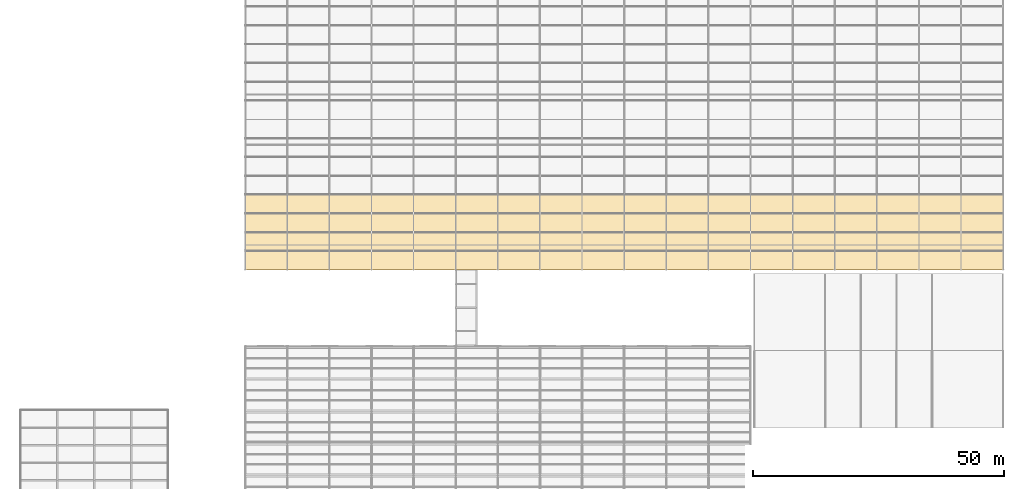
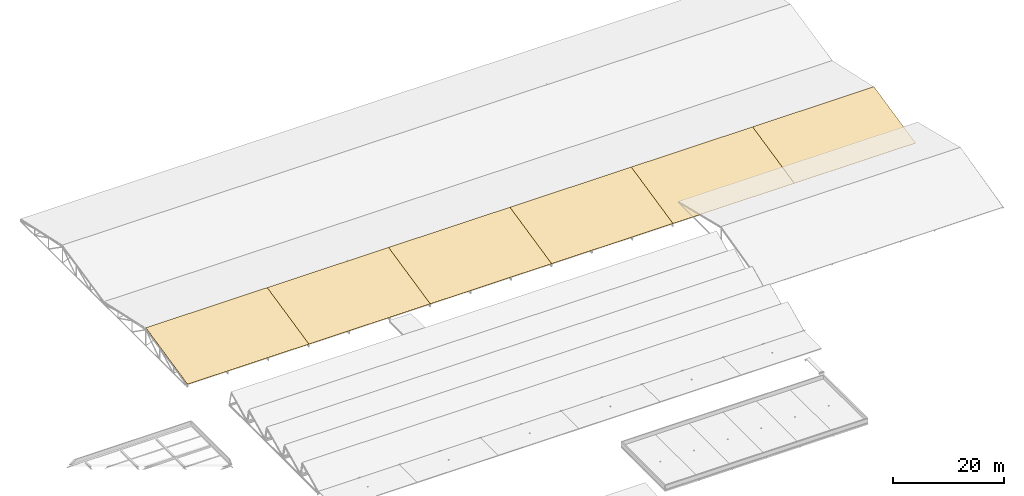
# One storey, part 194 of 194: 6 coverings.
"""IFC4 building model written with IfcOpenShell, lengths in metres."""

from ifc_helpers import new_model, si_unit, direction, frame, origin, place, context, subcontext, project, spatial, polyline, outline, extrude, material, layer, layer_set, type_object, element, save


model = new_model("IFC4")

# Units and contexts
model_context = context("Model", 3, precision=1e-05, world=origin(), true_north=direction((0.0, 1.0)))
body_context = subcontext(model_context, "Body", "Model", "MODEL_VIEW")
ifc_project = project(units=[si_unit("LENGTHUNIT", "METRE"), si_unit("AREAUNIT", "SQUARE_METRE"), si_unit("VOLUMEUNIT", "CUBIC_METRE"), si_unit("PLANEANGLEUNIT", "RADIAN"), si_unit("MASSUNIT", "GRAM", prefix="KILO")], contexts=[model_context])

# Site, building, storey
site_placement = place(None, origin())
site = spatial("IfcSite", under=ifc_project, at=site_placement, CompositionType="ELEMENT")
building_placement = place(site_placement, origin())
building = spatial("IfcBuilding", under=site, at=building_placement, Name="Kazenagashi Tramway Depot", CompositionType="ELEMENT")
storey_placement = place(building_placement, frame((0.0, 0.0, 23.7)))
storey = spatial("IfcBuildingStorey", under=building, at=storey_placement, Name="ROOF", CompositionType="ELEMENT", Elevation=23.7)

# Coverings
ifc_material = material(Name="Galvanised Standing Seam Steel Sheet", Category="steel")
ifc_layer = layer(ifc_material, 0.045)
ifc_layer_set = layer_set([ifc_layer], Name="Galvanised Standing Seam Steel Sheet")
covering_type = type_object("IfcCoveringType", Name="CV-RF1", PredefinedType="ROOFING", material=ifc_layer_set)
for number, where, z_axis, x_axis, name in (
    (1, (44.8, 70.0, -13.455), (0.0, -0.214861782675, 0.976644466705), (1.0, 0.0, 0.0), "Standing Seam Roof Covering 1"),
    (2, (70.0, 70.0, -13.455), (0.0, -0.214861782675, 0.976644466705), (1.0, 0.0, 0.0), "Standing Seam Roof Covering 2"),
    (3, (95.2, 70.0, -13.455), (0.0, -0.214861782675, 0.976644466705), (1.0, 0.0, 0.0), "Standing Seam Roof Covering 3"),
):
    element("IfcCovering", number, at=place(storey_placement, frame(where, z_axis=z_axis, x_axis=x_axis)), inside=storey, type_object=covering_type, Name=name, PredefinedType="ROOFING", context=body_context, shape_type="SweptSolid", body=[
        extrude(outline(polyline([(0.0, 0.0), (25.200000000000003, 0.0), (25.200000000000003, 15.358710883404246), (0.0, 15.358710883404246), (0.0, 0.0)])), origin(), (0.0, 0.0, -1.0), 0.045),
    ])
covering_1_placement = place(storey_placement, frame((120.4, 70.0, -13.455), z_axis=(0.0, -0.214861782675, 0.976644466705), x_axis=(1.0, 0.0, 0.0)))
element("IfcCovering", 4, at=covering_1_placement, inside=storey, type_object=covering_type, Name="Standing Seam Roof Covering 4", PredefinedType="ROOFING", context=body_context, shape_type="SweptSolid", body=[
    extrude(outline(polyline([(0.0, 0.0), (25.19999999999999, 0.0), (25.19999999999999, 15.358710883404246), (0.0, 15.358710883404246), (0.0, 0.0)])), origin(), (0.0, 0.0, -1.0), 0.045),
])
covering_2_placement = place(storey_placement, frame((145.6, 70.0, -13.455), z_axis=(0.0, -0.214861782675, 0.976644466705), x_axis=(1.0, 0.0, 0.0)))
element("IfcCovering", 5, at=covering_2_placement, inside=storey, type_object=covering_type, Name="Standing Seam Roof Covering 5", PredefinedType="ROOFING", context=body_context, shape_type="SweptSolid", body=[
    extrude(outline(polyline([(0.0, 0.0), (25.200000000000017, 0.0), (25.200000000000017, 15.358710883404244), (0.0, 15.358710883404244), (0.0, 0.0)])), origin(), (0.0, 0.0, -1.0), 0.045),
])
covering_3_placement = place(storey_placement, frame((170.8, 70.0, -13.455), z_axis=(0.0, -0.214861782675, 0.976644466705), x_axis=(1.0, 0.0, 0.0)))
element("IfcCovering", 6, at=covering_3_placement, inside=storey, type_object=covering_type, Name="Standing Seam Roof Covering 6", PredefinedType="ROOFING", context=body_context, shape_type="SweptSolid", body=[
    extrude(outline(polyline([(0.0, 0.0), (25.19999999999999, 0.0), (25.19999999999999, 15.358710883404246), (0.0, 15.358710883404246), (0.0, 0.0)])), origin(), (0.0, 0.0, -1.0), 0.045),
])

save(model, "model.ifc")
